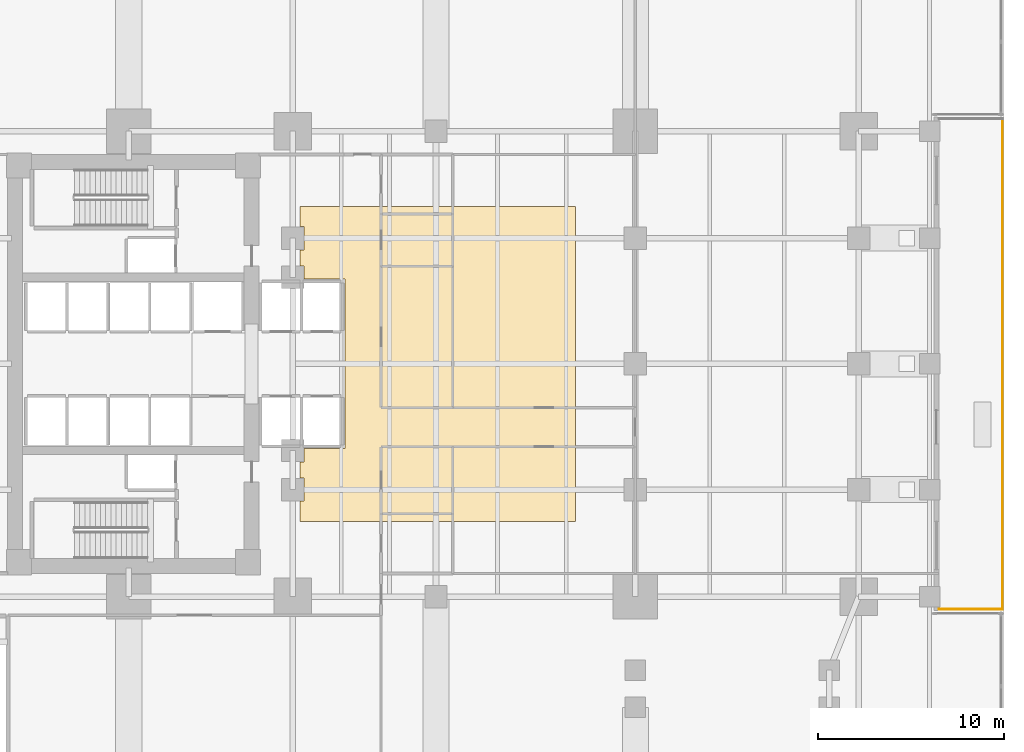
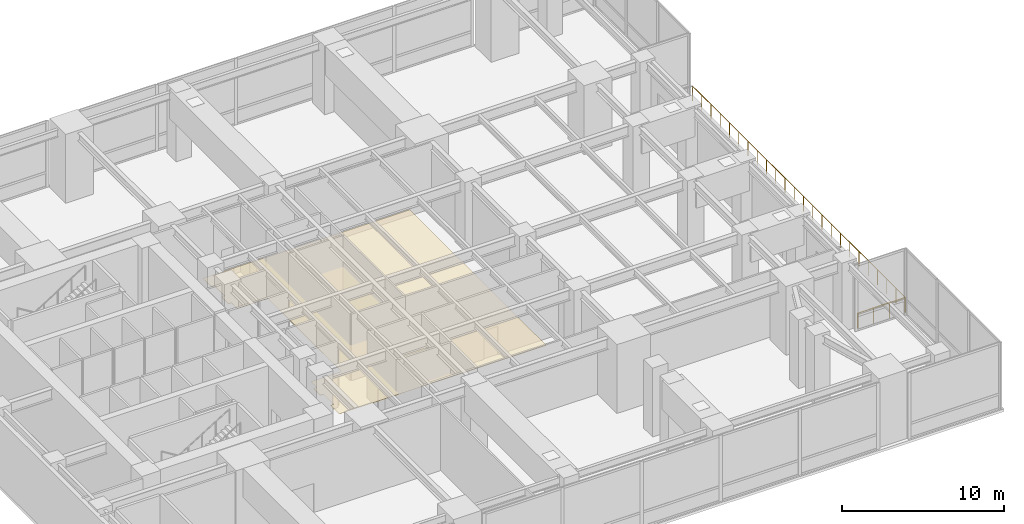
# One storey, part 12 of 14: 2 railings, 1 covering.
"""IFC4 building model written with IfcOpenShell, lengths in metres."""

from ifc_helpers import new_model, si_unit, direction, frame, origin, origin_2d, place, context, subcontext, project, spatial, polyline, circle, outline, extrude, material, layer, layer_set, type_object, element, save


model = new_model("IFC4")

# Units and contexts
model_context = context("Model", 3, precision=1e-05, world=origin(), true_north=direction((0.0, 1.0)))
body_context = subcontext(model_context, "Body", "Model", "MODEL_VIEW")
ifc_project = project(units=[si_unit("LENGTHUNIT", "METRE"), si_unit("AREAUNIT", "SQUARE_METRE"), si_unit("VOLUMEUNIT", "CUBIC_METRE"), si_unit("PLANEANGLEUNIT", "RADIAN"), si_unit("MASSUNIT", "GRAM", prefix="KILO")], contexts=[model_context])

# Site, building, storey
site_placement = place(None, origin())
site = spatial("IfcSite", under=ifc_project, at=site_placement, CompositionType="ELEMENT")
building_placement = place(site_placement, origin())
building = spatial("IfcBuilding", under=site, at=building_placement, Name="Kinhvarn Gate Tower", CompositionType="ELEMENT")
storey_placement = place(building_placement, frame((0.0, 0.0, 20.39990234375)))
storey = spatial("IfcBuildingStorey", under=building, at=storey_placement, Name="L04", CompositionType="ELEMENT", Elevation=20.39990234375)

# Covering
ifc_material_1 = material(Name="Mineral-fibre acoustic ceiling tile")
ifc_layer = layer(ifc_material_1, 0.02001953125)
ifc_layer_set = layer_set([ifc_layer], Name="Mineral-fibre acoustic ceiling tile")
covering_type = type_object("IfcCoveringType", Name="COV-CEIL-20", PredefinedType="CEILING", material=ifc_layer_set)
covering_placement = place(storey_placement, frame((0.0, 0.0, 2.650146484375)))
element("IfcCovering", 1, at=covering_placement, inside=storey, type_object=covering_type, Name="Suspended Acoustic Ceiling Tile (L04-1)", PredefinedType="CEILING", context=body_context, shape_type="SweptSolid", body=[
    extrude(outline(polyline([(35.0, 33.699951171875), (35.0, 16.800048828125), (20.199951171875, 16.800048828125), (20.199951171875, 17.8798828125), (20.419921875, 17.8798828125), (20.419921875, 19.1201171875), (20.199951171875, 19.1201171875), (20.199951171875, 19.97998046875), (20.419921875, 19.97998046875), (20.419921875, 20.699951171875), (22.60009765625, 20.699951171875), (22.60009765625, 29.800048828125), (20.419921875, 29.800048828125), (20.419921875, 30.52001953125), (20.199951171875, 30.52001953125), (20.199951171875, 31.3798828125), (20.419921875, 31.3798828125), (20.419921875, 32.6201171875), (20.199951171875, 32.6201171875), (20.199951171875, 33.699951171875), (35.0, 33.699951171875)])), origin(), (0.0, 0.0, 1.0), 0.02001953125),
])

# Railings
ifc_material_2 = material(Name="Clear low-e double glazing", Category="glass")
railing_type = type_object("IfcRailingType", Name="RL-TER-1150", PredefinedType="BALUSTRADE", material=ifc_material_2)
railing_1_placement = place(storey_placement, frame((54.52001953125, 12.080078125, 0.0)))
element("IfcRailing", 2, at=railing_1_placement, inside=storey, type_object=railing_type, Name="Podium Setback Terrace Perimeter Guardrail Seg 1 (L04)", PredefinedType="BALUSTRADE", context=body_context, shape_type="SweptSolid", body=[
    extrude(circle(Radius=0.02392578125, at=origin_2d()), frame((0.0, 0.0, 1.1259765625), z_axis=(1.0, 0.0, 0.0), x_axis=(0.0, 1.0, 0.0)), (0.0, 0.0, 1.0), 3.39990234375),
    extrude(circle(Radius=0.02099609375, at=origin_2d()), origin(), (0.0, 0.0, 1.0), 1.101806640625),
    extrude(circle(Radius=0.02099609375, at=origin_2d()), frame((1.13330078125, 0.0, 0.0)), (0.0, 0.0, 1.0), 1.101806640625),
    extrude(circle(Radius=0.02099609375, at=origin_2d()), frame((2.2666015625, 0.0, 0.0)), (0.0, 0.0, 1.0), 1.101806640625),
    extrude(circle(Radius=0.02099609375, at=origin_2d()), frame((3.39990234375, 0.0, 0.0)), (0.0, 0.0, 1.0), 1.101806640625),
])
railing_2_placement = place(storey_placement, frame((57.919921875, 12.080078125, 0.0)))
element("IfcRailing", 3, at=railing_2_placement, inside=storey, type_object=railing_type, Name="Podium Setback Terrace Perimeter Guardrail Seg 2 (L04)", PredefinedType="BALUSTRADE", context=body_context, shape_type="SweptSolid", body=[
    extrude(circle(Radius=0.02392578125, at=origin_2d()), frame((0.0, 0.0, 1.1259765625), z_axis=(0.0, 1.0, 0.0), x_axis=(-1.0, 0.0, 0.0)), (0.0, 0.0, 1.0), 26.33984375),
    extrude(circle(Radius=0.02099609375, at=origin_2d()), origin(), (0.0, 0.0, 1.0), 1.101806640625),
    extrude(circle(Radius=0.02099609375, at=origin_2d()), frame((0.0, 1.145263671875, 0.0)), (0.0, 0.0, 1.0), 1.101806640625),
    extrude(circle(Radius=0.02099609375, at=origin_2d()), frame((0.0, 2.29052734375, 0.0)), (0.0, 0.0, 1.0), 1.101806640625),
    extrude(circle(Radius=0.02099609375, at=origin_2d()), frame((0.0, 3.435546875, 0.0)), (0.0, 0.0, 1.0), 1.101806640625),
    extrude(circle(Radius=0.02099609375, at=origin_2d()), frame((0.0, 4.580810546875, 0.0)), (0.0, 0.0, 1.0), 1.101806640625),
    extrude(circle(Radius=0.02099609375, at=origin_2d()), frame((0.0, 5.72607421875, 0.0)), (0.0, 0.0, 1.0), 1.101806640625),
    extrude(circle(Radius=0.02099609375, at=origin_2d()), frame((0.0, 6.871337890625, 0.0)), (0.0, 0.0, 1.0), 1.101806640625),
    extrude(circle(Radius=0.02099609375, at=origin_2d()), frame((0.0, 8.016357421875, 0.0)), (0.0, 0.0, 1.0), 1.101806640625),
    extrude(circle(Radius=0.02099609375, at=origin_2d()), frame((0.0, 9.16162109375, 0.0)), (0.0, 0.0, 1.0), 1.101806640625),
    extrude(circle(Radius=0.02099609375, at=origin_2d()), frame((0.0, 10.306884765625, 0.0)), (0.0, 0.0, 1.0), 1.101806640625),
    extrude(circle(Radius=0.02099609375, at=origin_2d()), frame((0.0, 11.4521484375, 0.0)), (0.0, 0.0, 1.0), 1.101806640625),
    extrude(circle(Radius=0.02099609375, at=origin_2d()), frame((0.0, 12.597412109375, 0.0)), (0.0, 0.0, 1.0), 1.101806640625),
    extrude(circle(Radius=0.02099609375, at=origin_2d()), frame((0.0, 13.742431640625, 0.0)), (0.0, 0.0, 1.0), 1.101806640625),
    extrude(circle(Radius=0.02099609375, at=origin_2d()), frame((0.0, 14.8876953125, 0.0)), (0.0, 0.0, 1.0), 1.101806640625),
    extrude(circle(Radius=0.02099609375, at=origin_2d()), frame((0.0, 16.032958984375, 0.0)), (0.0, 0.0, 1.0), 1.101806640625),
    extrude(circle(Radius=0.02099609375, at=origin_2d()), frame((0.0, 17.17822265625, 0.0)), (0.0, 0.0, 1.0), 1.101806640625),
    extrude(circle(Radius=0.02099609375, at=origin_2d()), frame((0.0, 18.323486328125, 0.0)), (0.0, 0.0, 1.0), 1.101806640625),
    extrude(circle(Radius=0.02099609375, at=origin_2d()), frame((0.0, 19.468505859375, 0.0)), (0.0, 0.0, 1.0), 1.101806640625),
    extrude(circle(Radius=0.02099609375, at=origin_2d()), frame((0.0, 20.61376953125, 0.0)), (0.0, 0.0, 1.0), 1.101806640625),
    extrude(circle(Radius=0.02099609375, at=origin_2d()), frame((0.0, 21.759033203125, 0.0)), (0.0, 0.0, 1.0), 1.101806640625),
    extrude(circle(Radius=0.02099609375, at=origin_2d()), frame((0.0, 22.904296875, 0.0)), (0.0, 0.0, 1.0), 1.101806640625),
    extrude(circle(Radius=0.02099609375, at=origin_2d()), frame((0.0, 24.04931640625, 0.0)), (0.0, 0.0, 1.0), 1.101806640625),
    extrude(circle(Radius=0.02099609375, at=origin_2d()), frame((0.0, 25.194580078125, 0.0)), (0.0, 0.0, 1.0), 1.101806640625),
    extrude(circle(Radius=0.02099609375, at=origin_2d()), frame((0.0, 26.33984375, 0.0)), (0.0, 0.0, 1.0), 1.101806640625),
])

save(model, "model.ifc")
